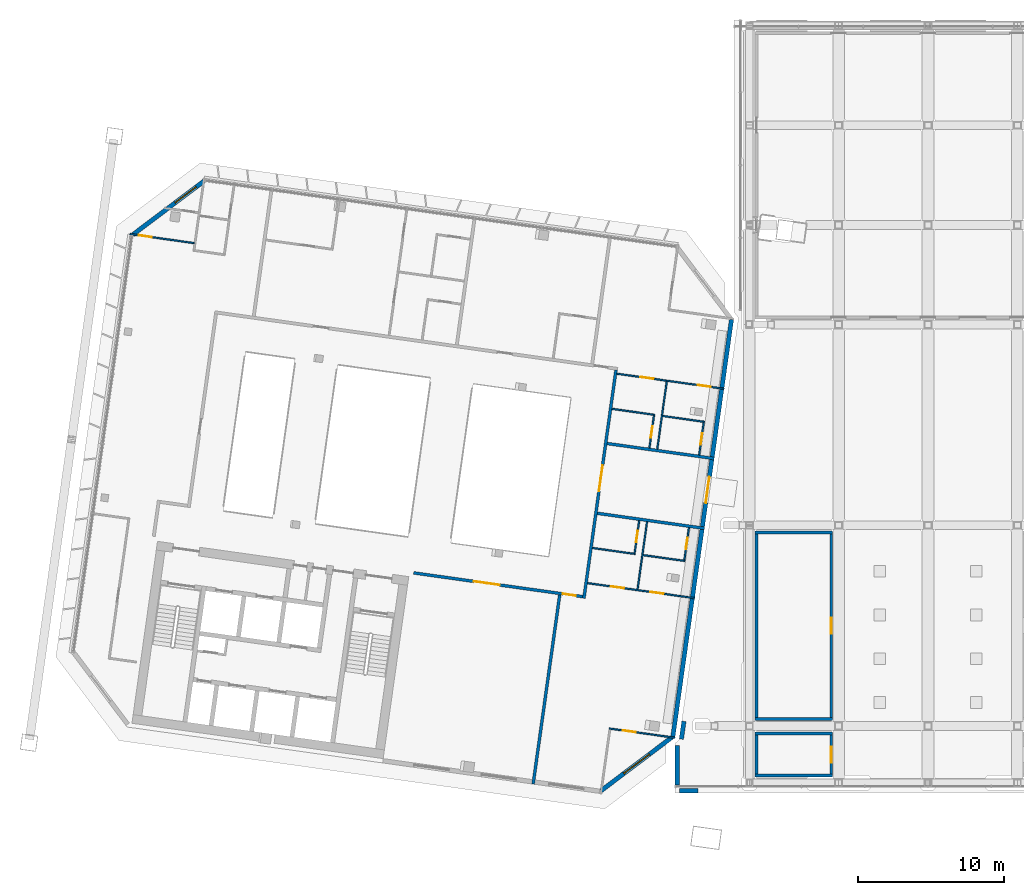
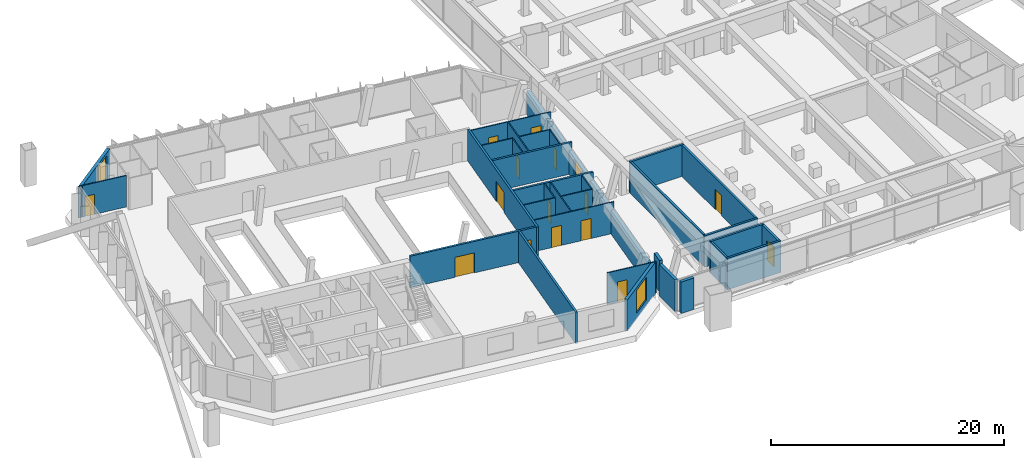
# One storey, part 16 of 28: 33 walls, 16 doors, 2 windows, 18 openings.
"""IFC4 building model written with IfcOpenShell, lengths in metres."""

from ifc_helpers import new_model, si_unit, direction, frame, frame_2d, origin, place, context, subcontext, project, spatial, rectangle, extrude, material, layer, layer_set, type_object, element, fill, save


model = new_model("IFC4")

# Units and contexts
model_context = context("Model", 3, precision=1e-05, world=origin(), true_north=direction((0.0, 1.0)))
body_context = subcontext(model_context, "Body", "Model", "MODEL_VIEW")
ifc_project = project(units=[si_unit("LENGTHUNIT", "METRE"), si_unit("AREAUNIT", "SQUARE_METRE"), si_unit("VOLUMEUNIT", "CUBIC_METRE"), si_unit("PLANEANGLEUNIT", "RADIAN"), si_unit("MASSUNIT", "GRAM", prefix="KILO")], contexts=[model_context])

# Site, building, storey
site_placement = place(None, origin())
site = spatial("IfcSite", under=ifc_project, at=site_placement, CompositionType="ELEMENT")
building_placement = place(site_placement, origin())
building = spatial("IfcBuilding", under=site, at=building_placement, Name="Mirante Cascada Hotel Towers", CompositionType="ELEMENT")
storey_placement = place(building_placement, frame((0.0, 0.0, 262.2)))
storey = spatial("IfcBuildingStorey", under=building, at=storey_placement, Name="L63", CompositionType="ELEMENT", Elevation=262.2)

# Wall, openings, doors
ifc_material_1 = material(Name="Fire-rated plasterboard on metal studs")
ifc_layer_1 = layer(ifc_material_1, 0.2)
ifc_layer_set_1 = layer_set([ifc_layer_1], Name="Compartment wall 200 EI 120")
wall_type_1 = type_object("IfcWallType", Name="Compartment wall 200 EI 120", PredefinedType="PARTITIONING", material=ifc_layer_set_1)
wall_1_placement = place(storey_placement, frame((-35.2634, -7.1173, 0.0), z_axis=(0.0, 0.0, 1.0), x_axis=(0.9902683, -0.1391714, 0.0)))
wall_1 = element("IfcWall", 1, at=wall_1_placement, inside=storey, type_object=wall_type_1, Name="Wall 1-L63-03", PredefinedType="PARTITIONING", context=body_context, shape_type="SweptSolid", body=[
    extrude(rectangle(XDim=11.7, YDim=0.2, at=frame_2d((5.85, 0.0))), origin(), (0.0, 0.0, 1.0), 3.3),
])
opening_1_placement = place(wall_1_placement, frame((10.3122, 0.0, 0.0)))
opening_1 = element("IfcOpeningElement", 2, at=opening_1_placement, cuts=wall_1, Name="Opening D1-L63-02", PredefinedType="OPENING", context=body_context, shape_type="SweptSolid", body=[
    extrude(rectangle(XDim=0.9, YDim=2.1, at=frame_2d((0.45, 1.05))), frame((0.0, 0.1, 0.0), z_axis=(0.0, -1.0, 0.0), x_axis=(1.0, 0.0, 0.0)), (0.0, 0.0, 1.0), 0.2),
])
opening_2_placement = place(wall_1_placement, frame((4.1623, 0.0, 0.0)))
opening_2 = element("IfcOpeningElement", 3, at=opening_2_placement, cuts=wall_1, Name="Opening D1-L63-03", PredefinedType="OPENING", context=body_context, shape_type="SweptSolid", body=[
    extrude(rectangle(XDim=1.8, YDim=2.1, at=frame_2d((0.9, 1.05))), frame((0.0, 0.1, 0.0), z_axis=(0.0, -1.0, 0.0), x_axis=(1.0, 0.0, 0.0)), (0.0, 0.0, 1.0), 0.2),
])
ifc_material_2 = material(Name="Fire-rated timber door leaf", Category="wood")
door_type_1 = type_object("IfcDoorType", Name="Room door DG3 900x2100 EI 60", OperationType="SINGLE_SWING_LEFT", PredefinedType="DOOR", material=ifc_material_2)
door_1_placement = place(opening_1_placement, frame((0.9, 0.0, 0.0), z_axis=(0.0, 0.0, 1.0), x_axis=(-1.0, 0.0, 0.0)))
door_1 = element("IfcDoor", 4, at=door_1_placement, inside=storey, type_object=door_type_1, Name="Door D1-L63-02", OperationType="SINGLE_SWING_RIGHT", OverallHeight=2.1, OverallWidth=0.9, PredefinedType="DOOR", context=body_context, shape_type="SweptSolid", body=[
    extrude(rectangle(XDim=0.9, YDim=2.1, at=frame_2d((0.45, 1.05))), frame((0.0, 0.025, 0.0), z_axis=(0.0, -1.0, 0.0), x_axis=(1.0, 0.0, 0.0)), (0.0, 0.0, 1.0), 0.05),
])
fill(opening_1, door_1)
ifc_material_3 = material(Name="Fire-rated timber door leaf", Category="wood")
door_type_2 = type_object("IfcDoorType", Name="Suite double door DG2 1800x2100 EI 60", OperationType="DOUBLE_DOOR_SINGLE_SWING", PredefinedType="DOOR", material=ifc_material_3)
door_2_placement = place(opening_2_placement, origin())
door_2 = element("IfcDoor", 5, at=door_2_placement, inside=storey, type_object=door_type_2, Name="Door D1-L63-03", OperationType="DOUBLE_DOOR_SINGLE_SWING", OverallHeight=2.1, OverallWidth=1.8, PredefinedType="DOOR", context=body_context, shape_type="SweptSolid", body=[
    extrude(rectangle(XDim=0.895, YDim=2.1, at=frame_2d((0.4475, 1.05))), frame((0.0, 0.025, 0.0), z_axis=(0.0, -1.0, 0.0), x_axis=(1.0, 0.0, 0.0)), (0.0, 0.0, 1.0), 0.05),
    extrude(rectangle(XDim=0.895, YDim=2.1, at=frame_2d((1.3525, 1.05))), frame((0.0, 0.025, 0.0), z_axis=(0.0, -1.0, 0.0), x_axis=(1.0, 0.0, 0.0)), (0.0, 0.0, 1.0), 0.05),
])
fill(opening_2, door_2)

# Walls
for number, where, z_axis, x_axis, name in (
    (6, (-22.672, -3.0299, 0.0), (0.0, 0.0, 1.0), (0.9902691, -0.1391657, 0.0), "Wall 1-L63-09"),
    (7, (-14.6595, 0.7248, 0.0), (0.0, 0.0, 1.0), (-0.9902672, 0.139179, 0.0), "Wall 1-L63-10"),
):
    element("IfcWall", number, at=place(storey_placement, frame(where, z_axis=z_axis, x_axis=x_axis)), inside=storey, type_object=wall_type_1, Name=name, PredefinedType="PARTITIONING", context=body_context, shape_type="SweptSolid", body=[
        extrude(rectangle(XDim=7.412, YDim=0.2, at=frame_2d((3.706, 0.0))), origin(), (0.0, 0.0, 1.0), 3.3),
    ])

# Wall, opening, door
wall_2_placement = place(storey_placement, frame((-21.3932, 6.7877, 0.0), z_axis=(0.0, 0.0, 1.0), x_axis=(-0.1391774, -0.9902675, 0.0)))
wall_2 = element("IfcWall", 8, at=wall_2_placement, inside=storey, type_object=wall_type_1, Name="Wall 1-L63-33", PredefinedType="PARTITIONING", context=body_context, shape_type="SweptSolid", body=[
    extrude(rectangle(XDim=15.8, YDim=0.2, at=frame_2d((7.9, 0.0))), origin(), (0.0, 0.0, 1.0), 3.3),
])
opening_3_placement = place(wall_2_placement, frame((6.5834, 0.0, 0.0)))
opening_3 = element("IfcOpeningElement", 9, at=opening_3_placement, cuts=wall_2, Name="Opening D1-L63-23", PredefinedType="OPENING", context=body_context, shape_type="SweptSolid", body=[
    extrude(rectangle(XDim=1.8, YDim=2.1, at=frame_2d((0.9, 1.05))), frame((0.0, 0.1, 0.0), z_axis=(0.0, -1.0, 0.0), x_axis=(1.0, 0.0, 0.0)), (0.0, 0.0, 1.0), 0.2),
])
door_3_placement = place(opening_3_placement, origin())
door_3 = element("IfcDoor", 10, at=door_3_placement, inside=storey, type_object=door_type_2, Name="Door D1-L63-23", OperationType="DOUBLE_DOOR_SINGLE_SWING", OverallHeight=2.1, OverallWidth=1.8, PredefinedType="DOOR", context=body_context, shape_type="SweptSolid", body=[
    extrude(rectangle(XDim=0.895, YDim=2.1, at=frame_2d((0.4475, 1.05))), frame((0.0, 0.025, 0.0), z_axis=(0.0, -1.0, 0.0), x_axis=(1.0, 0.0, 0.0)), (0.0, 0.0, 1.0), 0.05),
    extrude(rectangle(XDim=0.895, YDim=2.1, at=frame_2d((1.3525, 1.05))), frame((0.0, 0.025, 0.0), z_axis=(0.0, -1.0, 0.0), x_axis=(1.0, 0.0, 0.0)), (0.0, 0.0, 1.0), 0.05),
])
fill(opening_3, door_3)

# Walls
wall_3_placement = place(storey_placement, frame((-27.0745, -21.5979, 0.0), z_axis=(0.0, 0.0, 1.0), x_axis=(0.1391682, 0.9902688, 0.0)))
element("IfcWall", 11, at=wall_3_placement, inside=storey, type_object=wall_type_1, Name="Wall 1-L63-34", PredefinedType="PARTITIONING", context=body_context, shape_type="SweptSolid", body=[
    extrude(rectangle(XDim=13.1, YDim=0.2, at=frame_2d((6.55, 0.0))), origin(), (0.0, 0.0, 1.0), 3.3),
])
ifc_material_4 = material(Name="Masonry block", Category="masonry")
ifc_layer_2 = layer(ifc_material_4, 0.2)
ifc_layer_set_2 = layer_set([ifc_layer_2], Name="Deck room wall 200 block EI 120")
wall_type_2 = type_object("IfcWallType", Name="Deck room wall 200 block EI 120", PredefinedType="PARTITIONING", material=ifc_layer_set_2)
for number, where, z_axis, x_axis, name in (
    (12, (-11.85, -21.02, 0.0), (0.0, 0.0, 1.0), (1.0, 0.0, 0.0), "Sky park fire wall L63 W1"),
    (13, (-11.85, -18.12, 0.0), (0.0, 0.0, 1.0), (1.0, 0.0, 0.0), "Sky park fire wall L63 W2"),
):
    element("IfcWall", number, at=place(storey_placement, frame(where, z_axis=z_axis, x_axis=x_axis)), inside=storey, type_object=wall_type_2, Name=name, PredefinedType="PARTITIONING", context=body_context, shape_type="SweptSolid", body=[
        extrude(rectangle(XDim=5.32, YDim=0.2, at=frame_2d((2.66, 0.0))), origin(), (0.0, 0.0, 1.0), 3.3),
    ])
wall_4_placement = place(storey_placement, frame((-11.75, -20.92, 0.0), z_axis=(0.0, 0.0, 1.0), x_axis=(0.0, 1.0, 0.0)))
element("IfcWall", 14, at=wall_4_placement, inside=storey, type_object=wall_type_2, Name="Sky park fire wall L63 W3", PredefinedType="PARTITIONING", context=body_context, shape_type="SweptSolid", body=[
    extrude(rectangle(XDim=2.7, YDim=0.2, at=frame_2d((1.35, 0.0))), origin(), (0.0, 0.0, 1.0), 3.3),
])

# Wall, opening, door
wall_5_placement = place(storey_placement, frame((-6.63, -20.92, 0.0), z_axis=(0.0, 0.0, 1.0), x_axis=(0.0, 1.0, 0.0)))
wall_5 = element("IfcWall", 15, at=wall_5_placement, inside=storey, type_object=wall_type_2, Name="Sky park fire wall L63 W4", PredefinedType="PARTITIONING", context=body_context, shape_type="SweptSolid", body=[
    extrude(rectangle(XDim=2.7, YDim=0.2, at=frame_2d((1.35, 0.0))), origin(), (0.0, 0.0, 1.0), 3.3),
])
opening_4_placement = place(wall_5_placement, frame((0.8, 0.0, 0.0)))
opening_4 = element("IfcOpeningElement", 16, at=opening_4_placement, cuts=wall_5, Name="Opening DD-63-01", PredefinedType="OPENING", context=body_context, shape_type="SweptSolid", body=[
    extrude(rectangle(XDim=1.1, YDim=2.1, at=frame_2d((0.55, 1.05))), frame((0.0, 0.1, 0.0), z_axis=(0.0, -1.0, 0.0), x_axis=(1.0, 0.0, 0.0)), (0.0, 0.0, 1.0), 0.2),
])
ifc_material_5 = material(Name="Hollow metal fire door leaf")
door_type_3 = type_object("IfcDoorType", Name="Fire door 1100x2100 FD60 self-closing", OperationType="NOTDEFINED", PredefinedType="DOOR", material=ifc_material_5)
door_4_placement = place(opening_4_placement, origin())
door_4 = element("IfcDoor", 17, at=door_4_placement, inside=storey, type_object=door_type_3, Name="Fire door sky park L63 d1", OperationType="SINGLE_SWING_LEFT", OverallHeight=2.1, OverallWidth=1.1, PredefinedType="DOOR", context=body_context, shape_type="SweptSolid", body=[
    extrude(rectangle(XDim=1.1, YDim=2.1, at=frame_2d((0.55, 1.05))), frame((0.0, 0.025, 0.0), z_axis=(0.0, -1.0, 0.0), x_axis=(1.0, 0.0, 0.0)), (0.0, 0.0, 1.0), 0.05),
])
fill(opening_4, door_4)

# Walls
for number, where, z_axis, x_axis, name in (
    (18, (-11.85, -17.12, 0.0), (0.0, 0.0, 1.0), (1.0, 0.0, 0.0), "Sky park fire wall L63 W5"),
    (19, (-11.85, -4.35, 0.0), (0.0, 0.0, 1.0), (1.0, 0.0, 0.0), "Sky park fire wall L63 W6"),
):
    element("IfcWall", number, at=place(storey_placement, frame(where, z_axis=z_axis, x_axis=x_axis)), inside=storey, type_object=wall_type_2, Name=name, PredefinedType="PARTITIONING", context=body_context, shape_type="SweptSolid", body=[
        extrude(rectangle(XDim=5.32, YDim=0.2, at=frame_2d((2.66, 0.0))), origin(), (0.0, 0.0, 1.0), 3.3),
    ])
wall_6_placement = place(storey_placement, frame((-11.75, -17.02, 0.0), z_axis=(0.0, 0.0, 1.0), x_axis=(0.0, 1.0, 0.0)))
element("IfcWall", 20, at=wall_6_placement, inside=storey, type_object=wall_type_2, Name="Sky park fire wall L63 W7", PredefinedType="PARTITIONING", context=body_context, shape_type="SweptSolid", body=[
    extrude(rectangle(XDim=12.57, YDim=0.2, at=frame_2d((6.285, 0.0))), origin(), (0.0, 0.0, 1.0), 3.3),
])

# Wall, opening, door
wall_7_placement = place(storey_placement, frame((-6.63, -17.02, 0.0), z_axis=(0.0, 0.0, 1.0), x_axis=(0.0, 1.0, 0.0)))
wall_7 = element("IfcWall", 21, at=wall_7_placement, inside=storey, type_object=wall_type_2, Name="Sky park fire wall L63 W8", PredefinedType="PARTITIONING", context=body_context, shape_type="SweptSolid", body=[
    extrude(rectangle(XDim=12.57, YDim=0.2, at=frame_2d((6.285, 0.0))), origin(), (0.0, 0.0, 1.0), 3.3),
])
opening_5_placement = place(wall_7_placement, frame((5.735, 0.0, 0.0)))
opening_5 = element("IfcOpeningElement", 22, at=opening_5_placement, cuts=wall_7, Name="Opening DD-63-02", PredefinedType="OPENING", context=body_context, shape_type="SweptSolid", body=[
    extrude(rectangle(XDim=1.1, YDim=2.1, at=frame_2d((0.55, 1.05))), frame((0.0, 0.1, 0.0), z_axis=(0.0, -1.0, 0.0), x_axis=(1.0, 0.0, 0.0)), (0.0, 0.0, 1.0), 0.2),
])
door_5_placement = place(opening_5_placement, origin())
door_5 = element("IfcDoor", 23, at=door_5_placement, inside=storey, type_object=door_type_3, Name="Fire door sky park L63 d2", OperationType="SINGLE_SWING_LEFT", OverallHeight=2.1, OverallWidth=1.1, PredefinedType="DOOR", context=body_context, shape_type="SweptSolid", body=[
    extrude(rectangle(XDim=1.1, YDim=2.1, at=frame_2d((0.55, 1.05))), frame((0.0, 0.025, 0.0), z_axis=(0.0, -1.0, 0.0), x_axis=(1.0, 0.0, 0.0)), (0.0, 0.0, 1.0), 0.05),
])
fill(opening_5, door_5)

ifc_material_6 = material(Name="Plasterboard on metal studs")
ifc_layer_3 = layer(ifc_material_6, 0.1)
ifc_layer_set_3 = layer_set([ifc_layer_3], Name="Partition 100")
wall_type_3 = type_object("IfcWallType", Name="Partition 100", PredefinedType="PARTITIONING", material=ifc_layer_set_3)
wall_8_placement = place(storey_placement, frame((-21.8559, -17.7871, 0.0), z_axis=(0.0, 0.0, 1.0), x_axis=(0.9902691, -0.1391656, 0.0)))
wall_8 = element("IfcWall", 24, at=wall_8_placement, inside=storey, type_object=wall_type_3, Name="Wall 1-L63-01", PredefinedType="PARTITIONING", context=body_context, shape_type="SweptSolid", body=[
    extrude(rectangle(XDim=4.55, YDim=0.1, at=frame_2d((2.275, 0.0))), origin(), (0.0, 0.0, 1.0), 3.3),
])
opening_6_placement = place(wall_8_placement, frame((0.9352, 0.0, 0.0)))
opening_6 = element("IfcOpeningElement", 25, at=opening_6_placement, cuts=wall_8, Name="Opening D1-L63-01", PredefinedType="OPENING", context=body_context, shape_type="SweptSolid", body=[
    extrude(rectangle(XDim=0.9, YDim=2.1, at=frame_2d((0.45, 1.05))), frame((0.0, 0.05, 0.0), z_axis=(0.0, -1.0, 0.0), x_axis=(1.0, 0.0, 0.0)), (0.0, 0.0, 1.0), 0.1),
])
ifc_material_7 = material(Name="Timber door leaf", Category="wood")
door_type_4 = type_object("IfcDoorType", Name="Room door DG3 900x2100", OperationType="SINGLE_SWING_LEFT", PredefinedType="DOOR", material=ifc_material_7)
door_6_placement = place(opening_6_placement, origin())
door_6 = element("IfcDoor", 26, at=door_6_placement, inside=storey, type_object=door_type_4, Name="Door D1-L63-01", OperationType="SINGLE_SWING_LEFT", OverallHeight=2.1, OverallWidth=0.9, PredefinedType="DOOR", context=body_context, shape_type="SweptSolid", body=[
    extrude(rectangle(XDim=0.9, YDim=2.1, at=frame_2d((0.45, 1.05))), frame((0.0, 0.025, 0.0), z_axis=(0.0, -1.0, 0.0), x_axis=(1.0, 0.0, 0.0)), (0.0, 0.0, 1.0), 0.05),
])
fill(opening_6, door_6)

# Wall, openings, doors
wall_9_placement = place(storey_placement, frame((-16.0048, -8.8477, 0.0), z_axis=(0.0, 0.0, 1.0), x_axis=(-0.9902672, 0.139179, 0.0)))
wall_9 = element("IfcWall", 27, at=wall_9_placement, inside=storey, type_object=wall_type_3, Name="Wall 1-L63-04", PredefinedType="PARTITIONING", context=body_context, shape_type="SweptSolid", body=[
    extrude(rectangle(XDim=7.412, YDim=0.1, at=frame_2d((3.706, 0.0))), origin(), (0.0, 0.0, 1.0), 3.3),
])
opening_7_placement = place(wall_9_placement, frame((2.15, 0.0, 0.0)))
opening_7 = element("IfcOpeningElement", 28, at=opening_7_placement, cuts=wall_9, Name="Opening D1-L63-04", PredefinedType="OPENING", context=body_context, shape_type="SweptSolid", body=[
    extrude(rectangle(XDim=0.9, YDim=2.1, at=frame_2d((0.45, 1.05))), frame((0.0, 0.05, 0.0), z_axis=(0.0, -1.0, 0.0), x_axis=(1.0, 0.0, 0.0)), (0.0, 0.0, 1.0), 0.1),
])
opening_8_placement = place(wall_9_placement, frame((4.884, 0.0, 0.0)))
opening_8 = element("IfcOpeningElement", 29, at=opening_8_placement, cuts=wall_9, Name="Opening D1-L63-05", PredefinedType="OPENING", context=body_context, shape_type="SweptSolid", body=[
    extrude(rectangle(XDim=0.9, YDim=2.1, at=frame_2d((0.45, 1.05))), frame((0.0, 0.05, 0.0), z_axis=(0.0, -1.0, 0.0), x_axis=(1.0, 0.0, 0.0)), (0.0, 0.0, 1.0), 0.1),
])
door_7_placement = place(opening_7_placement, origin())
door_7 = element("IfcDoor", 30, at=door_7_placement, inside=storey, type_object=door_type_4, Name="Door D1-L63-04", OperationType="SINGLE_SWING_LEFT", OverallHeight=2.1, OverallWidth=0.9, PredefinedType="DOOR", context=body_context, shape_type="SweptSolid", body=[
    extrude(rectangle(XDim=0.9, YDim=2.1, at=frame_2d((0.45, 1.05))), frame((0.0, 0.025, 0.0), z_axis=(0.0, -1.0, 0.0), x_axis=(1.0, 0.0, 0.0)), (0.0, 0.0, 1.0), 0.05),
])
fill(opening_7, door_7)
door_8_placement = place(opening_8_placement, origin())
door_8 = element("IfcDoor", 31, at=door_8_placement, inside=storey, type_object=door_type_4, Name="Door D1-L63-05", OperationType="SINGLE_SWING_LEFT", OverallHeight=2.1, OverallWidth=0.9, PredefinedType="DOOR", context=body_context, shape_type="SweptSolid", body=[
    extrude(rectangle(XDim=0.9, YDim=2.1, at=frame_2d((0.45, 1.05))), frame((0.0, 0.025, 0.0), z_axis=(0.0, -1.0, 0.0), x_axis=(1.0, 0.0, 0.0)), (0.0, 0.0, 1.0), 0.05),
])
fill(opening_8, door_8)

# Walls
wall_10_placement = place(storey_placement, frame((-19.5342, -5.8945, 0.0), z_axis=(0.0, 0.0, 1.0), x_axis=(0.9902683, -0.1391714, 0.0)))
element("IfcWall", 32, at=wall_10_placement, inside=storey, type_object=wall_type_3, Name="Wall 1-L63-07", PredefinedType="PARTITIONING", context=body_context, shape_type="SweptSolid", body=[
    extrude(rectangle(XDim=2.9, YDim=0.1, at=frame_2d((1.45, 0.0))), origin(), (0.0, 0.0, 1.0), 3.3),
])
wall_11_placement = place(storey_placement, frame((-20.0729, -5.8188, 0.0), z_axis=(0.0, 0.0, 1.0), x_axis=(-0.9902644, 0.1391995, 0.0)))
element("IfcWall", 33, at=wall_11_placement, inside=storey, type_object=wall_type_3, Name="Wall 1-L63-08", PredefinedType="PARTITIONING", context=body_context, shape_type="SweptSolid", body=[
    extrude(rectangle(XDim=2.9619, YDim=0.1, at=frame_2d((1.481, 0.0))), origin(), (0.0, 0.0, 1.0), 3.3),
])
wall_12_placement = place(storey_placement, frame((-18.1935, 3.6451, 0.0), z_axis=(0.0, 0.0, 1.0), x_axis=(0.9902683, -0.1391714, 0.0)))
element("IfcWall", 34, at=wall_12_placement, inside=storey, type_object=wall_type_3, Name="Wall 1-L63-11", PredefinedType="PARTITIONING", context=body_context, shape_type="SweptSolid", body=[
    extrude(rectangle(XDim=2.9, YDim=0.1, at=frame_2d((1.45, 0.0))), origin(), (0.0, 0.0, 1.0), 3.3),
])
wall_13_placement = place(storey_placement, frame((-18.7322, 3.7208, 0.0), z_axis=(0.0, 0.0, 1.0), x_axis=(-0.990269, 0.1391664, 0.0)))
element("IfcWall", 35, at=wall_13_placement, inside=storey, type_object=wall_type_3, Name="Wall 1-L63-12", PredefinedType="PARTITIONING", context=body_context, shape_type="SweptSolid", body=[
    extrude(rectangle(XDim=2.9619, YDim=0.1, at=frame_2d((1.481, 0.0))), origin(), (0.0, 0.0, 1.0), 3.3),
])

# Wall, openings, doors
wall_14_placement = place(storey_placement, frame((-21.3267, 6.5427, 0.0), z_axis=(0.0, 0.0, 1.0), x_axis=(0.9902691, -0.1391657, 0.0)))
wall_14 = element("IfcWall", 36, at=wall_14_placement, inside=storey, type_object=wall_type_3, Name="Wall 1-L63-13", PredefinedType="PARTITIONING", context=body_context, shape_type="SweptSolid", body=[
    extrude(rectangle(XDim=7.412, YDim=0.1, at=frame_2d((3.706, 0.0))), origin(), (0.0, 0.0, 1.0), 3.3),
])
opening_9_placement = place(wall_14_placement, frame((5.584, 0.0, 0.0)))
opening_9 = element("IfcOpeningElement", 37, at=opening_9_placement, cuts=wall_14, Name="Opening D1-L63-06", PredefinedType="OPENING", context=body_context, shape_type="SweptSolid", body=[
    extrude(rectangle(XDim=0.9, YDim=2.1, at=frame_2d((0.45, 1.05))), frame((0.0, 0.05, 0.0), z_axis=(0.0, -1.0, 0.0), x_axis=(1.0, 0.0, 0.0)), (0.0, 0.0, 1.0), 0.1),
])
opening_10_placement = place(wall_14_placement, frame((1.628, 0.0, 0.0)))
opening_10 = element("IfcOpeningElement", 38, at=opening_10_placement, cuts=wall_14, Name="Opening D1-L63-07", PredefinedType="OPENING", context=body_context, shape_type="SweptSolid", body=[
    extrude(rectangle(XDim=0.9, YDim=2.1, at=frame_2d((0.45, 1.05))), frame((0.0, 0.05, 0.0), z_axis=(0.0, -1.0, 0.0), x_axis=(1.0, 0.0, 0.0)), (0.0, 0.0, 1.0), 0.1),
])
door_9_placement = place(opening_9_placement, origin())
door_9 = element("IfcDoor", 39, at=door_9_placement, inside=storey, type_object=door_type_4, Name="Door D1-L63-06", OperationType="SINGLE_SWING_LEFT", OverallHeight=2.1, OverallWidth=0.9, PredefinedType="DOOR", context=body_context, shape_type="SweptSolid", body=[
    extrude(rectangle(XDim=0.9, YDim=2.1, at=frame_2d((0.45, 1.05))), frame((0.0, 0.025, 0.0), z_axis=(0.0, -1.0, 0.0), x_axis=(1.0, 0.0, 0.0)), (0.0, 0.0, 1.0), 0.05),
])
fill(opening_9, door_9)
door_10_placement = place(opening_10_placement, origin())
door_10 = element("IfcDoor", 40, at=door_10_placement, inside=storey, type_object=door_type_4, Name="Door D1-L63-07", OperationType="SINGLE_SWING_LEFT", OverallHeight=2.1, OverallWidth=0.9, PredefinedType="DOOR", context=body_context, shape_type="SweptSolid", body=[
    extrude(rectangle(XDim=0.9, YDim=2.1, at=frame_2d((0.45, 1.05))), frame((0.0, 0.025, 0.0), z_axis=(0.0, -1.0, 0.0), x_axis=(1.0, 0.0, 0.0)), (0.0, 0.0, 1.0), 0.05),
])
fill(opening_10, door_10)

# Wall, opening, door
wall_15_placement = place(storey_placement, frame((-50.3125, 15.4972, 0.0), z_axis=(0.0, 0.0, 1.0), x_axis=(-0.9902656, 0.1391904, 0.0)))
wall_15 = element("IfcWall", 41, at=wall_15_placement, inside=storey, type_object=wall_type_3, Name="Wall 1-L63-20", PredefinedType="PARTITIONING", context=body_context, shape_type="SweptSolid", body=[
    extrude(rectangle(XDim=4.45, YDim=0.1, at=frame_2d((2.225, 0.0))), origin(), (0.0, 0.0, 1.0), 3.3),
])
opening_11_placement = place(wall_15_placement, frame((2.95, 0.0, 0.0)))
opening_11 = element("IfcOpeningElement", 42, at=opening_11_placement, cuts=wall_15, Name="Opening D1-L63-13", PredefinedType="OPENING", context=body_context, shape_type="SweptSolid", body=[
    extrude(rectangle(XDim=0.9, YDim=2.1, at=frame_2d((0.45, 1.05))), frame((0.0, 0.05, 0.0), z_axis=(0.0, -1.0, 0.0), x_axis=(1.0, 0.0, 0.0)), (0.0, 0.0, 1.0), 0.1),
])
door_11_placement = place(opening_11_placement, origin())
door_11 = element("IfcDoor", 43, at=door_11_placement, inside=storey, type_object=door_type_4, Name="Door D1-L63-13", OperationType="SINGLE_SWING_LEFT", OverallHeight=2.1, OverallWidth=0.9, PredefinedType="DOOR", context=body_context, shape_type="SweptSolid", body=[
    extrude(rectangle(XDim=0.9, YDim=2.1, at=frame_2d((0.45, 1.05))), frame((0.0, 0.025, 0.0), z_axis=(0.0, -1.0, 0.0), x_axis=(1.0, 0.0, 0.0)), (0.0, 0.0, 1.0), 0.05),
])
fill(opening_11, door_11)

wall_16_placement = place(storey_placement, frame((-16.3918, -4.0135, 0.0), z_axis=(0.0, 0.0, 1.0), x_axis=(-0.1391561, -0.9902705, 0.0)))
wall_16 = element("IfcWall", 44, at=wall_16_placement, inside=storey, type_object=wall_type_3, Name="Wall 1-L63-25", PredefinedType="PARTITIONING", context=body_context, shape_type="SweptSolid", body=[
    extrude(rectangle(XDim=2.25, YDim=0.1, at=frame_2d((1.125, 0.0))), origin(), (0.0, 0.0, 1.0), 3.3),
])
opening_12_placement = place(wall_16_placement, frame((0.7, 0.0, 0.0)))
opening_12 = element("IfcOpeningElement", 45, at=opening_12_placement, cuts=wall_16, Name="Opening D1-L63-18", PredefinedType="OPENING", context=body_context, shape_type="SweptSolid", body=[
    extrude(rectangle(XDim=0.8, YDim=2.1, at=frame_2d((0.4, 1.05))), frame((0.0, 0.05, 0.0), z_axis=(0.0, -1.0, 0.0), x_axis=(1.0, 0.0, 0.0)), (0.0, 0.0, 1.0), 0.1),
])
ifc_material_8 = material(Name="Timber door leaf", Category="wood")
door_type_5 = type_object("IfcDoorType", Name="Bathroom door DG4 800x2100", OperationType="SINGLE_SWING_LEFT", PredefinedType="DOOR", material=ifc_material_8)
door_12_placement = place(opening_12_placement, frame((0.8, 0.0, 0.0), z_axis=(0.0, 0.0, 1.0), x_axis=(-1.0, 0.0, 0.0)))
door_12 = element("IfcDoor", 46, at=door_12_placement, inside=storey, type_object=door_type_5, Name="Door D1-L63-18", OperationType="SINGLE_SWING_RIGHT", OverallHeight=2.1, OverallWidth=0.8, PredefinedType="DOOR", context=body_context, shape_type="SweptSolid", body=[
    extrude(rectangle(XDim=0.8, YDim=2.1, at=frame_2d((0.4, 1.05))), frame((0.0, 0.025, 0.0), z_axis=(0.0, -1.0, 0.0), x_axis=(1.0, 0.0, 0.0)), (0.0, 0.0, 1.0), 0.05),
])
fill(opening_12, door_12)

wall_17_placement = place(storey_placement, frame((-15.6913, 0.9708, 0.0), z_axis=(0.0, 0.0, 1.0), x_axis=(0.1391561, 0.9902705, 0.0)))
wall_17 = element("IfcWall", 47, at=wall_17_placement, inside=storey, type_object=wall_type_3, Name="Wall 1-L63-26", PredefinedType="PARTITIONING", context=body_context, shape_type="SweptSolid", body=[
    extrude(rectangle(XDim=2.25, YDim=0.1, at=frame_2d((1.125, 0.0))), origin(), (0.0, 0.0, 1.0), 3.3),
])
opening_13_placement = place(wall_17_placement, frame((0.7, 0.0, 0.0)))
opening_13 = element("IfcOpeningElement", 48, at=opening_13_placement, cuts=wall_17, Name="Opening D1-L63-19", PredefinedType="OPENING", context=body_context, shape_type="SweptSolid", body=[
    extrude(rectangle(XDim=0.8, YDim=2.1, at=frame_2d((0.4, 1.05))), frame((0.0, 0.05, 0.0), z_axis=(0.0, -1.0, 0.0), x_axis=(1.0, 0.0, 0.0)), (0.0, 0.0, 1.0), 0.1),
])
door_13_placement = place(opening_13_placement, origin())
door_13 = element("IfcDoor", 49, at=door_13_placement, inside=storey, type_object=door_type_5, Name="Door D1-L63-19", OperationType="SINGLE_SWING_LEFT", OverallHeight=2.1, OverallWidth=0.8, PredefinedType="DOOR", context=body_context, shape_type="SweptSolid", body=[
    extrude(rectangle(XDim=0.8, YDim=2.1, at=frame_2d((0.4, 1.05))), frame((0.0, 0.025, 0.0), z_axis=(0.0, -1.0, 0.0), x_axis=(1.0, 0.0, 0.0)), (0.0, 0.0, 1.0), 0.05),
])
fill(opening_13, door_13)

# Walls
wall_18_placement = place(storey_placement, frame((-19.2636, -3.6099, 0.0), z_axis=(0.0, 0.0, 1.0), x_axis=(-0.139176, -0.9902677, 0.0)))
element("IfcWall", 50, at=wall_18_placement, inside=storey, type_object=wall_type_3, Name="Wall 1-L63-27", PredefinedType="PARTITIONING", context=body_context, shape_type="SweptSolid", body=[
    extrude(rectangle(XDim=4.6833, YDim=0.1, at=frame_2d((2.3416, 0.0))), origin(), (0.0, 0.0, 1.0), 3.3),
])
wall_19_placement = place(storey_placement, frame((-18.5631, 1.3744, 0.0), z_axis=(0.0, 0.0, 1.0), x_axis=(0.139173, 0.9902681, 0.0)))
element("IfcWall", 51, at=wall_19_placement, inside=storey, type_object=wall_type_3, Name="Wall 1-L63-28", PredefinedType="PARTITIONING", context=body_context, shape_type="SweptSolid", body=[
    extrude(rectangle(XDim=4.6834, YDim=0.1, at=frame_2d((2.3417, 0.0))), origin(), (0.0, 0.0, 1.0), 3.3),
])

# Wall, opening, door
wall_20_placement = place(storey_placement, frame((-20.1154, -5.7623, 0.0), z_axis=(0.0, 0.0, 1.0), x_axis=(0.1391561, 0.9902705, 0.0)))
wall_20 = element("IfcWall", 52, at=wall_20_placement, inside=storey, type_object=wall_type_3, Name="Wall 1-L63-30", PredefinedType="PARTITIONING", context=body_context, shape_type="SweptSolid", body=[
    extrude(rectangle(XDim=2.25, YDim=0.1, at=frame_2d((1.125, 0.0))), origin(), (0.0, 0.0, 1.0), 3.3),
])
opening_14_placement = place(wall_20_placement, frame((0.75, 0.0, 0.0)))
opening_14 = element("IfcOpeningElement", 53, at=opening_14_placement, cuts=wall_20, Name="Opening D1-L63-20", PredefinedType="OPENING", context=body_context, shape_type="SweptSolid", body=[
    extrude(rectangle(XDim=0.8, YDim=2.1, at=frame_2d((0.4, 1.05))), frame((0.0, 0.05, 0.0), z_axis=(0.0, -1.0, 0.0), x_axis=(1.0, 0.0, 0.0)), (0.0, 0.0, 1.0), 0.1),
])
door_14_placement = place(opening_14_placement, origin())
door_14 = element("IfcDoor", 54, at=door_14_placement, inside=storey, type_object=door_type_5, Name="Door D1-L63-20", OperationType="SINGLE_SWING_LEFT", OverallHeight=2.1, OverallWidth=0.8, PredefinedType="DOOR", context=body_context, shape_type="SweptSolid", body=[
    extrude(rectangle(XDim=0.8, YDim=2.1, at=frame_2d((0.4, 1.05))), frame((0.0, 0.025, 0.0), z_axis=(0.0, -1.0, 0.0), x_axis=(1.0, 0.0, 0.0)), (0.0, 0.0, 1.0), 0.05),
])
fill(opening_14, door_14)

wall_21_placement = place(storey_placement, frame((-18.7886, 3.6782, 0.0), z_axis=(0.0, 0.0, 1.0), x_axis=(-0.1391997, -0.9902643, 0.0)))
wall_21 = element("IfcWall", 55, at=wall_21_placement, inside=storey, type_object=wall_type_3, Name="Wall 1-L63-31", PredefinedType="PARTITIONING", context=body_context, shape_type="SweptSolid", body=[
    extrude(rectangle(XDim=2.25, YDim=0.1, at=frame_2d((1.125, 0.0))), origin(), (0.0, 0.0, 1.0), 3.3),
])
opening_15_placement = place(wall_21_placement, frame((0.75, 0.0, 0.0)))
opening_15 = element("IfcOpeningElement", 56, at=opening_15_placement, cuts=wall_21, Name="Opening D1-L63-21", PredefinedType="OPENING", context=body_context, shape_type="SweptSolid", body=[
    extrude(rectangle(XDim=0.8, YDim=2.1, at=frame_2d((0.4, 1.05))), frame((0.0, 0.05, 0.0), z_axis=(0.0, -1.0, 0.0), x_axis=(1.0, 0.0, 0.0)), (0.0, 0.0, 1.0), 0.1),
])
door_15_placement = place(opening_15_placement, frame((0.8, 0.0, 0.0), z_axis=(0.0, 0.0, 1.0), x_axis=(-1.0, 0.0, 0.0)))
door_15 = element("IfcDoor", 57, at=door_15_placement, inside=storey, type_object=door_type_5, Name="Door D1-L63-21", OperationType="SINGLE_SWING_RIGHT", OverallHeight=2.1, OverallWidth=0.8, PredefinedType="DOOR", context=body_context, shape_type="SweptSolid", body=[
    extrude(rectangle(XDim=0.8, YDim=2.1, at=frame_2d((0.4, 1.05))), frame((0.0, 0.025, 0.0), z_axis=(0.0, -1.0, 0.0), x_axis=(1.0, 0.0, 0.0)), (0.0, 0.0, 1.0), 0.05),
])
fill(opening_15, door_15)

# Wall, opening, window
ifc_material_9 = material(Name="Precast concrete C40/50", Category="concrete")
ifc_layer_4 = layer(ifc_material_9, 0.3)
ifc_layer_set_4 = layer_set([ifc_layer_4], Name="Precast concrete C40/50 cladding wall 300")
wall_type_4 = type_object("IfcWallType", Name="Precast concrete C40/50 cladding wall 300", PredefinedType="STANDARD", material=ifc_layer_set_4)
wall_22_placement = place(storey_placement, frame((-54.5298, 16.0715, 0.0), z_axis=(0.0, 0.0, 1.0), x_axis=(0.7986362, 0.6018141, 0.0)))
wall_22 = element("IfcWall", 58, at=wall_22_placement, inside=storey, type_object=wall_type_4, Name="Corner cladding wall T1 L63 outer front", PredefinedType="STANDARD", context=body_context, shape_type="SweptSolid", body=[
    extrude(rectangle(XDim=6.1157, YDim=0.3, at=frame_2d((3.0578, 0.0))), origin(), (0.0, 0.0, 1.0), 3.3),
])
opening_16_placement = place(wall_22_placement, frame((3.6428, 0.0, 0.6)))
opening_16 = element("IfcOpeningElement", 59, at=opening_16_placement, cuts=wall_22, Name="Opening W1-63-05", PredefinedType="OPENING", context=body_context, shape_type="SweptSolid", body=[
    extrude(rectangle(XDim=1.8, YDim=2.4, at=frame_2d((0.9, 1.2))), frame((0.0, 0.15, 0.0), z_axis=(0.0, -1.0, 0.0), x_axis=(1.0, 0.0, 0.0)), (0.0, 0.0, 1.0), 0.3),
])
ifc_material_10 = material(Name="Aluminium frame with clear double glazing", Category="aluminium")
window_type_1 = type_object("IfcWindowType", Name="Corner suite window 1800x2400", PartitioningType="DOUBLE_PANEL_VERTICAL", PredefinedType="WINDOW", material=ifc_material_10)
window_1_placement = place(opening_16_placement, origin())
window_1 = element("IfcWindow", 60, at=window_1_placement, inside=storey, type_object=window_type_1, Name="Window W1-63-05", OverallHeight=2.4, OverallWidth=1.8, PartitioningType="SINGLE_PANEL", PredefinedType="WINDOW", context=body_context, shape_type="SweptSolid", body=[
    extrude(rectangle(XDim=1.8, YDim=2.4, at=frame_2d((0.9, 1.2))), frame((0.0, 0.03, 0.0), z_axis=(0.0, -1.0, 0.0), x_axis=(1.0, 0.0, 0.0)), (0.0, 0.0, 1.0), 0.06),
])
fill(opening_16, window_1)

wall_23_placement = place(storey_placement, frame((-17.5396, -18.3752, 0.0), z_axis=(0.0, 0.0, 1.0), x_axis=(-0.7986362, -0.6018141, 0.0)))
wall_23 = element("IfcWall", 61, at=wall_23_placement, inside=storey, type_object=wall_type_4, Name="Corner cladding wall T1 L63 inner rear", PredefinedType="STANDARD", context=body_context, shape_type="SweptSolid", body=[
    extrude(rectangle(XDim=6.1157, YDim=0.3, at=frame_2d((3.0578, 0.0))), origin(), (0.0, 0.0, 1.0), 3.3),
])
opening_17_placement = place(wall_23_placement, frame((1.9578, 0.0, 0.6)))
opening_17 = element("IfcOpeningElement", 62, at=opening_17_placement, cuts=wall_23, Name="Opening W1-63-07", PredefinedType="OPENING", context=body_context, shape_type="SweptSolid", body=[
    extrude(rectangle(XDim=2.2, YDim=2.4, at=frame_2d((1.1, 1.2))), frame((0.0, 0.15, 0.0), z_axis=(0.0, -1.0, 0.0), x_axis=(1.0, 0.0, 0.0)), (0.0, 0.0, 1.0), 0.3),
])
ifc_material_11 = material(Name="Aluminium frame with clear double glazing", Category="aluminium")
window_type_2 = type_object("IfcWindowType", Name="Corner suite window 2200x2400", PartitioningType="DOUBLE_PANEL_VERTICAL", PredefinedType="WINDOW", material=ifc_material_11)
window_2_placement = place(opening_17_placement, origin())
window_2 = element("IfcWindow", 63, at=window_2_placement, inside=storey, type_object=window_type_2, Name="Window W1-63-07", OverallHeight=2.4, OverallWidth=2.2, PartitioningType="SINGLE_PANEL", PredefinedType="WINDOW", context=body_context, shape_type="SweptSolid", body=[
    extrude(rectangle(XDim=2.2, YDim=2.4, at=frame_2d((1.1, 1.2))), frame((0.0, 0.03, 0.0), z_axis=(0.0, -1.0, 0.0), x_axis=(1.0, 0.0, 0.0)), (0.0, 0.0, 1.0), 0.06),
])
fill(opening_17, window_2)

# Walls
wall_24_placement = place(storey_placement, frame((-15.77, -22.0525, 0.0), z_axis=(0.0, 0.0, 1.0), x_axis=(-1.0, 0.0, 0.0)))
element("IfcWall", 64, at=wall_24_placement, inside=storey, type_object=wall_type_4, Name="Corner closure wall L63 3.1", PredefinedType="STANDARD", context=body_context, shape_type="SweptSolid", body=[
    extrude(rectangle(XDim=1.2802, YDim=0.3, at=frame_2d((0.6401, 0.0))), origin(), (0.0, 0.0, 1.0), 3.3),
])
wall_25_placement = place(storey_placement, frame((-17.2002, -21.6725, 0.0), z_axis=(0.0, 0.0, 1.0), x_axis=(0.0, 1.0, 0.0)))
element("IfcWall", 65, at=wall_25_placement, inside=storey, type_object=wall_type_4, Name="Corner closure wall L63 4.1", PredefinedType="STANDARD", context=body_context, shape_type="SweptSolid", body=[
    extrude(rectangle(XDim=2.7279, YDim=0.3, at=frame_2d((1.364, 0.0))), origin(), (0.0, 0.0, 1.0), 3.3),
])
wall_26_placement = place(storey_placement, frame((-16.9111, -18.5155, 0.0), z_axis=(0.0, 0.0, 1.0), x_axis=(0.1409001, 0.9900238, 0.0)))
element("IfcWall", 66, at=wall_26_placement, inside=storey, type_object=wall_type_4, Name="Corner closure wall L63 4.9", PredefinedType="STANDARD", context=body_context, shape_type="SweptSolid", body=[
    extrude(rectangle(XDim=1.2356, YDim=0.3, at=frame_2d((0.6178, 0.0))), origin(), (0.0, 0.0, 1.0), 3.3),
])

# Wall, opening, door
ifc_material_12 = material(Name="Precast concrete C40/50", Category="concrete")
ifc_layer_5 = layer(ifc_material_12, 0.3)
ifc_layer_set_5 = layer_set([ifc_layer_5], Name="Precast concrete C40/50 link wall 300 EI 120")
wall_type_5 = type_object("IfcWallType", Name="Precast concrete C40/50 link wall 300 EI 120", PredefinedType="STANDARD", material=ifc_layer_set_5)
wall_27_placement = place(storey_placement, frame((-13.4714, 10.2568, 0.0), z_axis=(0.0, 0.0, 1.0), x_axis=(-0.1391723, -0.9902682, 0.0)))
wall_27 = element("IfcWall", 67, at=wall_27_placement, inside=storey, type_object=wall_type_5, Name="Link end wall T1 L63", PredefinedType="STANDARD", context=body_context, shape_type="SweptSolid", body=[
    extrude(rectangle(XDim=28.8757, YDim=0.3, at=frame_2d((14.4378, 0.0))), origin(), (0.0, 0.0, 1.0), 2.5),
])
opening_18_placement = place(wall_27_placement, frame((10.9008, 0.0, 0.0)))
opening_18 = element("IfcOpeningElement", 68, at=opening_18_placement, cuts=wall_27, Name="Opening D1-63-91", PredefinedType="OPENING", context=body_context, shape_type="SweptSolid", body=[
    extrude(rectangle(XDim=1.8, YDim=2.4, at=frame_2d((0.9, 1.2))), frame((0.0, 0.15, 0.0), z_axis=(0.0, -1.0, 0.0), x_axis=(1.0, 0.0, 0.0)), (0.0, 0.0, 1.0), 0.3),
])
ifc_material_13 = material(Name="Steel fire door leaf with glazed vision panel", Category="steel")
door_type_6 = type_object("IfcDoorType", Name="Link fire door 1800x2400 FD60", OperationType="DOUBLE_DOOR_SINGLE_SWING", PredefinedType="DOOR", material=ifc_material_13)
door_16_placement = place(opening_18_placement, origin())
door_16 = element("IfcDoor", 69, at=door_16_placement, inside=storey, type_object=door_type_6, Name="Link fire door D1-63-91", OperationType="DOUBLE_DOOR_SINGLE_SWING", OverallHeight=2.4, OverallWidth=1.8, PredefinedType="DOOR", context=body_context, shape_type="SweptSolid", body=[
    extrude(rectangle(XDim=0.895, YDim=2.4, at=frame_2d((0.4475, 1.2))), frame((0.0, 0.025, 0.0), z_axis=(0.0, -1.0, 0.0), x_axis=(1.0, 0.0, 0.0)), (0.0, 0.0, 1.0), 0.05),
    extrude(rectangle(XDim=0.895, YDim=2.4, at=frame_2d((1.3525, 1.2))), frame((0.0, 0.025, 0.0), z_axis=(0.0, -1.0, 0.0), x_axis=(1.0, 0.0, 0.0)), (0.0, 0.0, 1.0), 0.05),
])
fill(opening_18, door_16)

save(model, "model.ifc")
